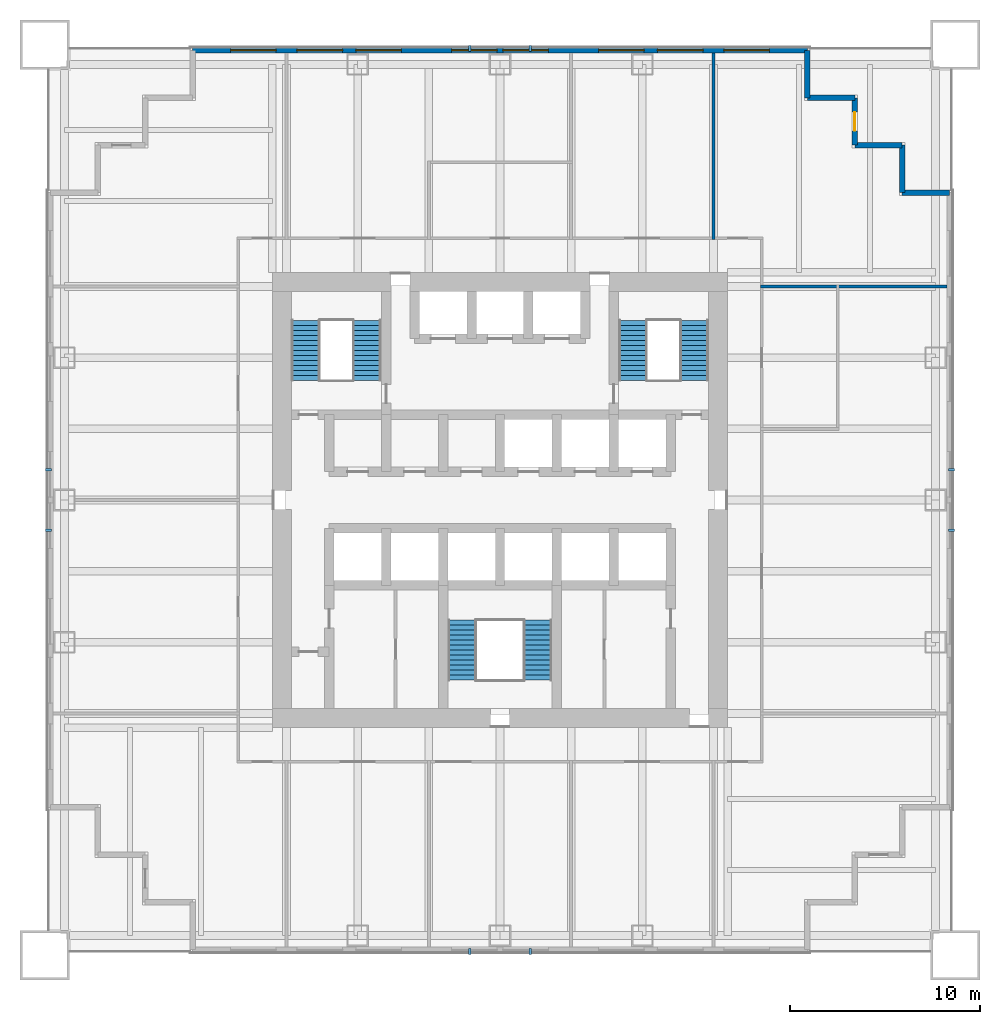
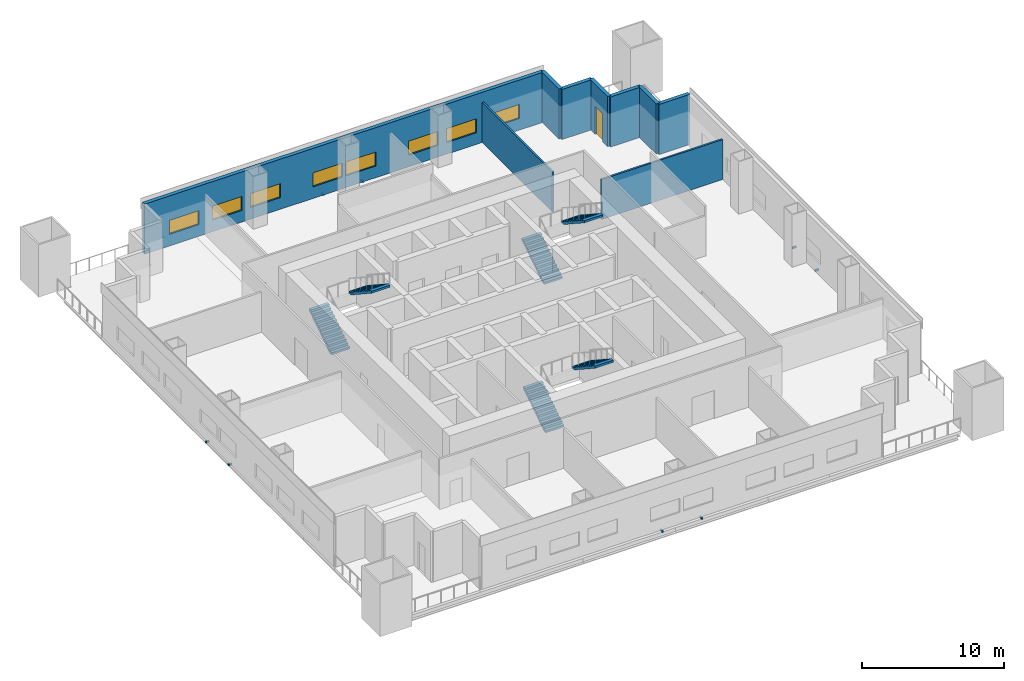
# One storey, part 5 of 7: 9 walls, 8 discrete accessories, 8 windows, 6 stair flights, 1 door, 9 openings, 3 elements without a shape of their own.
"""IFC4 building model written with IfcOpenShell, lengths in metres."""

from ifc_helpers import new_model, si_unit, direction, frame, frame_2d, origin, origin_2d, place, context, subcontext, project, spatial, polyline, rectangle, outline, extrude, material, layer, layer_set, type_object, element, fill, aggregate, save


model = new_model("IFC4")

# Units and contexts
model_context = context("Model", 3, precision=1e-05, world=origin(), true_north=direction((0.0, 1.0)))
body_context = subcontext(model_context, "Body", "Model", "MODEL_VIEW")
ifc_project = project(units=[si_unit("LENGTHUNIT", "METRE"), si_unit("AREAUNIT", "SQUARE_METRE"), si_unit("VOLUMEUNIT", "CUBIC_METRE"), si_unit("PLANEANGLEUNIT", "RADIAN"), si_unit("MASSUNIT", "GRAM", prefix="KILO")], contexts=[model_context])

# Site, building, storey
site_placement = place(None, origin())
site = spatial("IfcSite", under=ifc_project, at=site_placement, CompositionType="ELEMENT")
building_placement = place(site_placement, origin())
building = spatial("IfcBuilding", under=site, at=building_placement, Name="Tarangal Relay Tower", CompositionType="ELEMENT")
storey_placement = place(building_placement, frame((0.0, 0.0, 122.39990234375)))
storey = spatial("IfcBuildingStorey", under=building, at=storey_placement, Name="L24", CompositionType="ELEMENT", Elevation=122.39990234375)

# Wall, openings, windows
ifc_material_1 = material(Name="Insulated precast concrete fc' 40 MPa", Category="concrete")
ifc_layer_1 = layer(ifc_material_1, 0.300048828125)
ifc_layer_set_1 = layer_set([ifc_layer_1], Name="Insulated precast concrete fc' 40 MPa")
wall_type_1 = type_object("IfcWallType", Name="Facade wall precast 300", PredefinedType="SOLIDWALL", material=ifc_layer_set_1)
wall_1_placement = place(storey_placement, frame((-16.199951171875, 23.699951171875, 0.0), z_axis=(0.0, 0.0, 1.0), x_axis=(1.0, 0.0, 0.0)))
wall_1 = element("IfcWall", 1, at=wall_1_placement, inside=storey, type_object=wall_type_1, Name="Facade wall N facade L24", PredefinedType="SOLIDWALL", context=body_context, shape_type="SweptSolid", body=[
    extrude(rectangle(XDim=32.39990234375, YDim=0.300048828125, at=frame_2d((16.199951171875, 0.0))), origin(), (0.0, 0.0, 1.0), 4.300048828125),
])
opening_1_placement = place(wall_1_placement, frame((2.0, 0.0, 1.0)))
opening_1 = element("IfcOpeningElement", 2, at=opening_1_placement, cuts=wall_1, Name="Opening WN1", PredefinedType="OPENING", context=body_context, shape_type="SweptSolid", body=[
    extrude(rectangle(XDim=2.39990234375, YDim=1.199951171875, at=frame_2d((1.199951171875, 0.60009765625))), frame((0.0, 0.159912109375, 0.0), z_axis=(0.0, -1.0, 0.0), x_axis=(1.0, 0.0, 0.0)), (0.0, 0.0, 1.0), 0.320068359375),
])
opening_2_placement = place(wall_1_placement, frame((5.5, 0.0, 1.0)))
opening_2 = element("IfcOpeningElement", 3, at=opening_2_placement, cuts=wall_1, Name="Opening WN1", PredefinedType="OPENING", context=body_context, shape_type="SweptSolid", body=[
    extrude(rectangle(XDim=2.39990234375, YDim=1.199951171875, at=frame_2d((1.199951171875, 0.60009765625))), frame((0.0, 0.159912109375, 0.0), z_axis=(0.0, -1.0, 0.0), x_axis=(1.0, 0.0, 0.0)), (0.0, 0.0, 1.0), 0.320068359375),
])
opening_3_placement = place(wall_1_placement, frame((8.60009765625, 0.0, 1.0)))
opening_3 = element("IfcOpeningElement", 4, at=opening_3_placement, cuts=wall_1, Name="Opening WN1", PredefinedType="OPENING", context=body_context, shape_type="SweptSolid", body=[
    extrude(rectangle(XDim=2.39990234375, YDim=1.199951171875, at=frame_2d((1.199951171875, 0.60009765625))), frame((0.0, 0.159912109375, 0.0), z_axis=(0.0, -1.0, 0.0), x_axis=(1.0, 0.0, 0.0)), (0.0, 0.0, 1.0), 0.320068359375),
])
opening_4_placement = place(wall_1_placement, frame((13.64990234375, 0.0, 1.0)))
opening_4 = element("IfcOpeningElement", 5, at=opening_4_placement, cuts=wall_1, Name="Opening WN1", PredefinedType="OPENING", context=body_context, shape_type="SweptSolid", body=[
    extrude(rectangle(XDim=2.39990234375, YDim=1.199951171875, at=frame_2d((1.199951171875, 0.60009765625))), frame((0.0, 0.159912109375, 0.0), z_axis=(0.0, -1.0, 0.0), x_axis=(1.0, 0.0, 0.0)), (0.0, 0.0, 1.0), 0.320068359375),
])
opening_5_placement = place(wall_1_placement, frame((16.35009765625, 0.0, 1.0)))
opening_5 = element("IfcOpeningElement", 6, at=opening_5_placement, cuts=wall_1, Name="Opening WN1", PredefinedType="OPENING", context=body_context, shape_type="SweptSolid", body=[
    extrude(rectangle(XDim=2.39990234375, YDim=1.199951171875, at=frame_2d((1.199951171875, 0.60009765625))), frame((0.0, 0.159912109375, 0.0), z_axis=(0.0, -1.0, 0.0), x_axis=(1.0, 0.0, 0.0)), (0.0, 0.0, 1.0), 0.320068359375),
])
opening_6_placement = place(wall_1_placement, frame((21.39990234375, 0.0, 1.0)))
opening_6 = element("IfcOpeningElement", 7, at=opening_6_placement, cuts=wall_1, Name="Opening WN1", PredefinedType="OPENING", context=body_context, shape_type="SweptSolid", body=[
    extrude(rectangle(XDim=2.39990234375, YDim=1.199951171875, at=frame_2d((1.199951171875, 0.60009765625))), frame((0.0, 0.159912109375, 0.0), z_axis=(0.0, -1.0, 0.0), x_axis=(1.0, 0.0, 0.0)), (0.0, 0.0, 1.0), 0.320068359375),
])
opening_7_placement = place(wall_1_placement, frame((24.5, 0.0, 1.0)))
opening_7 = element("IfcOpeningElement", 8, at=opening_7_placement, cuts=wall_1, Name="Opening WN1", PredefinedType="OPENING", context=body_context, shape_type="SweptSolid", body=[
    extrude(rectangle(XDim=2.39990234375, YDim=1.199951171875, at=frame_2d((1.199951171875, 0.60009765625))), frame((0.0, 0.159912109375, 0.0), z_axis=(0.0, -1.0, 0.0), x_axis=(1.0, 0.0, 0.0)), (0.0, 0.0, 1.0), 0.320068359375),
])
opening_8_placement = place(wall_1_placement, frame((28.0, 0.0, 1.0)))
opening_8 = element("IfcOpeningElement", 9, at=opening_8_placement, cuts=wall_1, Name="Opening WN1", PredefinedType="OPENING", context=body_context, shape_type="SweptSolid", body=[
    extrude(rectangle(XDim=2.39990234375, YDim=1.199951171875, at=frame_2d((1.199951171875, 0.60009765625))), frame((0.0, 0.159912109375, 0.0), z_axis=(0.0, -1.0, 0.0), x_axis=(1.0, 0.0, 0.0)), (0.0, 0.0, 1.0), 0.320068359375),
])
ifc_material_2 = material(Name="Dark tinted double glazing in black aluminium frame", Category="aluminium")
window_type = type_object("IfcWindowType", Name="Ribbon window 2400 x 1200", PartitioningType="SINGLE_PANEL", PredefinedType="WINDOW", material=ifc_material_2)
window_1_placement = place(opening_1_placement, origin())
window_1 = element("IfcWindow", 10, at=window_1_placement, inside=storey, type_object=window_type, Name="Ribbon window WN1 N facade L24", OverallHeight=1.199951171875, OverallWidth=2.39990234375, PartitioningType="SINGLE_PANEL", PredefinedType="WINDOW", context=body_context, shape_type="SweptSolid", body=[
    extrude(rectangle(XDim=2.39990234375, YDim=1.199951171875, at=frame_2d((1.199951171875, 0.60009765625))), frame((0.0, 0.030029296875, 0.0), z_axis=(0.0, -1.0, 0.0), x_axis=(1.0, 0.0, 0.0)), (0.0, 0.0, 1.0), 0.06005859375),
])
fill(opening_1, window_1)
window_2_placement = place(opening_2_placement, origin())
window_2 = element("IfcWindow", 11, at=window_2_placement, inside=storey, type_object=window_type, Name="Ribbon window WN1 N facade L24", OverallHeight=1.199951171875, OverallWidth=2.39990234375, PartitioningType="SINGLE_PANEL", PredefinedType="WINDOW", context=body_context, shape_type="SweptSolid", body=[
    extrude(rectangle(XDim=2.39990234375, YDim=1.199951171875, at=frame_2d((1.199951171875, 0.60009765625))), frame((0.0, 0.030029296875, 0.0), z_axis=(0.0, -1.0, 0.0), x_axis=(1.0, 0.0, 0.0)), (0.0, 0.0, 1.0), 0.06005859375),
])
fill(opening_2, window_2)
window_3_placement = place(opening_3_placement, origin())
window_3 = element("IfcWindow", 12, at=window_3_placement, inside=storey, type_object=window_type, Name="Ribbon window WN1 N facade L24", OverallHeight=1.199951171875, OverallWidth=2.39990234375, PartitioningType="SINGLE_PANEL", PredefinedType="WINDOW", context=body_context, shape_type="SweptSolid", body=[
    extrude(rectangle(XDim=2.39990234375, YDim=1.199951171875, at=frame_2d((1.199951171875, 0.60009765625))), frame((0.0, 0.030029296875, 0.0), z_axis=(0.0, -1.0, 0.0), x_axis=(1.0, 0.0, 0.0)), (0.0, 0.0, 1.0), 0.06005859375),
])
fill(opening_3, window_3)
window_4_placement = place(opening_4_placement, origin())
window_4 = element("IfcWindow", 13, at=window_4_placement, inside=storey, type_object=window_type, Name="Ribbon window WN1 N facade L24", OverallHeight=1.199951171875, OverallWidth=2.39990234375, PartitioningType="SINGLE_PANEL", PredefinedType="WINDOW", context=body_context, shape_type="SweptSolid", body=[
    extrude(rectangle(XDim=2.39990234375, YDim=1.199951171875, at=frame_2d((1.199951171875, 0.60009765625))), frame((0.0, 0.030029296875, 0.0), z_axis=(0.0, -1.0, 0.0), x_axis=(1.0, 0.0, 0.0)), (0.0, 0.0, 1.0), 0.06005859375),
])
fill(opening_4, window_4)
window_5_placement = place(opening_5_placement, origin())
window_5 = element("IfcWindow", 14, at=window_5_placement, inside=storey, type_object=window_type, Name="Ribbon window WN1 N facade L24", OverallHeight=1.199951171875, OverallWidth=2.39990234375, PartitioningType="SINGLE_PANEL", PredefinedType="WINDOW", context=body_context, shape_type="SweptSolid", body=[
    extrude(rectangle(XDim=2.39990234375, YDim=1.199951171875, at=frame_2d((1.199951171875, 0.60009765625))), frame((0.0, 0.030029296875, 0.0), z_axis=(0.0, -1.0, 0.0), x_axis=(1.0, 0.0, 0.0)), (0.0, 0.0, 1.0), 0.06005859375),
])
fill(opening_5, window_5)
window_6_placement = place(opening_6_placement, origin())
window_6 = element("IfcWindow", 15, at=window_6_placement, inside=storey, type_object=window_type, Name="Ribbon window WN1 N facade L24", OverallHeight=1.199951171875, OverallWidth=2.39990234375, PartitioningType="SINGLE_PANEL", PredefinedType="WINDOW", context=body_context, shape_type="SweptSolid", body=[
    extrude(rectangle(XDim=2.39990234375, YDim=1.199951171875, at=frame_2d((1.199951171875, 0.60009765625))), frame((0.0, 0.030029296875, 0.0), z_axis=(0.0, -1.0, 0.0), x_axis=(1.0, 0.0, 0.0)), (0.0, 0.0, 1.0), 0.06005859375),
])
fill(opening_6, window_6)
window_7_placement = place(opening_7_placement, origin())
window_7 = element("IfcWindow", 16, at=window_7_placement, inside=storey, type_object=window_type, Name="Ribbon window WN1 N facade L24", OverallHeight=1.199951171875, OverallWidth=2.39990234375, PartitioningType="SINGLE_PANEL", PredefinedType="WINDOW", context=body_context, shape_type="SweptSolid", body=[
    extrude(rectangle(XDim=2.39990234375, YDim=1.199951171875, at=frame_2d((1.199951171875, 0.60009765625))), frame((0.0, 0.030029296875, 0.0), z_axis=(0.0, -1.0, 0.0), x_axis=(1.0, 0.0, 0.0)), (0.0, 0.0, 1.0), 0.06005859375),
])
fill(opening_7, window_7)
window_8_placement = place(opening_8_placement, origin())
window_8 = element("IfcWindow", 17, at=window_8_placement, inside=storey, type_object=window_type, Name="Ribbon window WN1 N facade L24", OverallHeight=1.199951171875, OverallWidth=2.39990234375, PartitioningType="SINGLE_PANEL", PredefinedType="WINDOW", context=body_context, shape_type="SweptSolid", body=[
    extrude(rectangle(XDim=2.39990234375, YDim=1.199951171875, at=frame_2d((1.199951171875, 0.60009765625))), frame((0.0, 0.030029296875, 0.0), z_axis=(0.0, -1.0, 0.0), x_axis=(1.0, 0.0, 0.0)), (0.0, 0.0, 1.0), 0.06005859375),
])
fill(opening_8, window_8)

# Walls
for number, where, z_axis, x_axis, name in (
    (18, (16.199951171875, 23.699951171875, 0.0), (0.0, 0.0, 1.0), (0.0, -1.0, 0.0), "Facade wall N facade L24"),
    (19, (16.199951171875, 21.199951171875, 0.0), (0.0, 0.0, 1.0), (1.0, 0.0, 0.0), "Facade wall N facade L24"),
):
    element("IfcWall", number, at=place(storey_placement, frame(where, z_axis=z_axis, x_axis=x_axis)), inside=storey, type_object=wall_type_1, Name=name, PredefinedType="SOLIDWALL", context=body_context, shape_type="SweptSolid", body=[
        extrude(rectangle(XDim=2.5, YDim=0.300048828125, at=frame_2d((1.25, 0.0))), origin(), (0.0, 0.0, 1.0), 4.300048828125),
    ])

# Wall, opening, door
wall_2_placement = place(storey_placement, frame((18.699951171875, 21.199951171875, 0.0), z_axis=(0.0, 0.0, 1.0), x_axis=(0.0, -1.0, 0.0)))
wall_2 = element("IfcWall", 20, at=wall_2_placement, inside=storey, type_object=wall_type_1, Name="Facade wall N facade L24", PredefinedType="SOLIDWALL", context=body_context, shape_type="SweptSolid", body=[
    extrude(rectangle(XDim=2.5, YDim=0.300048828125, at=frame_2d((1.25, 0.0))), origin(), (0.0, 0.0, 1.0), 4.300048828125),
])
opening_9_placement = place(wall_2_placement, frame((0.75, 0.0, 0.0)))
opening_9 = element("IfcOpeningElement", 21, at=opening_9_placement, cuts=wall_2, Name="Opening TD1", PredefinedType="OPENING", context=body_context, shape_type="SweptSolid", body=[
    extrude(rectangle(XDim=1.0, YDim=2.39990234375, at=frame_2d((0.5, 1.199951171875))), frame((0.0, 0.159912109375, 0.0), z_axis=(0.0, -1.0, 0.0), x_axis=(1.0, 0.0, 0.0)), (0.0, 0.0, 1.0), 0.320068359375),
])
ifc_material_3 = material(Name="Aluminium glazed door", Category="aluminium")
door_type = type_object("IfcDoorType", Name="Terrace door 1000 x 2400", OperationType="SINGLE_SWING_RIGHT", PredefinedType="DOOR", material=ifc_material_3)
door_placement = place(opening_9_placement, origin())
door = element("IfcDoor", 22, at=door_placement, inside=storey, type_object=door_type, Name="Terrace door TD1 NE L24", OperationType="SINGLE_SWING_RIGHT", OverallHeight=2.39990234375, OverallWidth=1.0, PredefinedType="DOOR", context=body_context, shape_type="SweptSolid", body=[
    extrude(rectangle(XDim=1.0, YDim=2.39990234375, at=frame_2d((0.5, 1.199951171875))), frame((0.0, 0.02490234375, 0.0), z_axis=(0.0, -1.0, 0.0), x_axis=(1.0, 0.0, 0.0)), (0.0, 0.0, 1.0), 0.050048828125),
])
fill(opening_9, door)

# Walls
for number, where, z_axis, x_axis, name in (
    (23, (18.699951171875, 18.699951171875, 0.0), (0.0, 0.0, 1.0), (1.0, 0.0, 0.0), "Facade wall N facade L24"),
    (24, (21.199951171875, 18.699951171875, 0.0), (0.0, 0.0, 1.0), (0.0, -1.0, 0.0), "Facade wall N facade L24"),
    (25, (21.199951171875, 16.199951171875, 0.0), (0.0, 0.0, 1.0), (1.0, 0.0, 0.0), "Facade wall N facade L24"),
):
    element("IfcWall", number, at=place(storey_placement, frame(where, z_axis=z_axis, x_axis=x_axis)), inside=storey, type_object=wall_type_1, Name=name, PredefinedType="SOLIDWALL", context=body_context, shape_type="SweptSolid", body=[
        extrude(rectangle(XDim=2.5, YDim=0.300048828125, at=frame_2d((1.25, 0.0))), origin(), (0.0, 0.0, 1.0), 4.300048828125),
    ])
ifc_material_4 = material(Name="Gypsum board on steel studs", Category="steel")
ifc_layer_2 = layer(ifc_material_4, 0.14990234375)
ifc_layer_set_2 = layer_set([ifc_layer_2], Name="Partition 150")
wall_type_2 = type_object("IfcWallType", Name="Partition 150", PredefinedType="PARTITIONING", material=ifc_layer_set_2)
for number, where, z_axis, x_axis, name in (
    (26, (13.72509765625, 11.25, 0.0), (0.0, 0.0, 1.0), (1.0, 0.0, 0.0), "Partition PT1 L24"),
    (27, (11.25, 13.72509765625, 0.0), (0.0, 0.0, 1.0), (0.0, 1.0, 0.0), "Partition PT1 L24"),
):
    element("IfcWall", number, at=place(storey_placement, frame(where, z_axis=z_axis, x_axis=x_axis)), inside=storey, type_object=wall_type_2, Name=name, PredefinedType="PARTITIONING", context=body_context, shape_type="SweptSolid", body=[
        extrude(rectangle(XDim=9.824951171875, YDim=0.14990234375, at=frame_2d((4.91259765625, 0.0))), origin(), (0.0, 0.0, 1.0), 3.431396484375),
    ])

# Stair, stair flights
ifc_material_5 = material(Name="Steel ASTM A992 stair flight", Category="steel")
stair_type = type_object("IfcStairType", Name="Core stair 1500", PredefinedType="HALF_TURN_STAIR", material=ifc_material_5)
stair_1_placement = place(storey_placement, origin())
stair_1 = element("IfcStair", 28, at=stair_1_placement, inside=storey, type_object=stair_type, Name="Stair ST-A L24", PredefinedType="HALF_TURN_STAIR")
stair_flight_type = type_object("IfcStairFlightType", Name="Steel stair flight 1500, 13 risers 173 x 264", PredefinedType="STRAIGHT", material=ifc_material_5)
stair_flight_1_placement = place(storey_placement, frame((-10.25, 6.300048828125, 0.0), z_axis=(0.0, 0.0, 1.0), x_axis=(0.0, 1.0, 0.0)))
stair_flight_1 = element("IfcStairFlight", 29, at=stair_flight_1_placement, type_object=stair_flight_type, Name="ST-A flight 1", NumberOfRisers=13, NumberOfTreads=12, PredefinedType="STRAIGHT", RiserHeight=0.173076923, TreadLength=0.264, context=body_context, shape_type="SweptSolid", body=[
    extrude(outline(polyline([(0.0, 0.0), (0.0, 0.173095703125), (0.263916015625, 0.173095703125), (0.263916015625, 0.34619140625), (0.528076171875, 0.34619140625), (0.528076171875, 0.519287109375), (0.7919921875, 0.519287109375), (0.7919921875, 0.6923828125), (1.055908203125, 0.6923828125), (1.055908203125, 0.865478515625), (1.320068359375, 0.865478515625), (1.320068359375, 1.03857421875), (1.583984375, 1.03857421875), (1.583984375, 1.21142578125), (1.847900390625, 1.21142578125), (1.847900390625, 1.384521484375), (2.112060546875, 1.384521484375), (2.112060546875, 1.5576171875), (2.3759765625, 1.5576171875), (2.3759765625, 1.730712890625), (2.639892578125, 1.730712890625), (2.639892578125, 1.90380859375), (2.904052734375, 1.90380859375), (2.904052734375, 2.076904296875), (3.16796875, 2.076904296875), (3.16796875, 2.25), (3.16796875, 1.897705078125), (0.2734375, 0.0), (0.0, 0.0)])), frame((0.0, 0.75, 0.0), z_axis=(0.0, -1.0, 0.0), x_axis=(1.0, 0.0, 0.0)), (0.0, 0.0, 1.0), 1.5),
])
stair_flight_2_placement = place(storey_placement, frame((-7.0, 9.468017578125, 2.25), z_axis=(0.0, 0.0, 1.0), x_axis=(0.0, -1.0, 0.0)))
stair_flight_2 = element("IfcStairFlight", 30, at=stair_flight_2_placement, type_object=stair_flight_type, Name="ST-A flight 2", NumberOfRisers=13, NumberOfTreads=12, PredefinedType="STRAIGHT", RiserHeight=0.173076923, TreadLength=0.264, context=body_context, shape_type="SweptSolid", body=[
    extrude(outline(polyline([(0.0, 0.0), (0.0, 0.173095703125), (0.263916015625, 0.173095703125), (0.263916015625, 0.34619140625), (0.528076171875, 0.34619140625), (0.528076171875, 0.519287109375), (0.7919921875, 0.519287109375), (0.7919921875, 0.6923828125), (1.055908203125, 0.6923828125), (1.055908203125, 0.865478515625), (1.320068359375, 0.865478515625), (1.320068359375, 1.03857421875), (1.583984375, 1.03857421875), (1.583984375, 1.21142578125), (1.847900390625, 1.21142578125), (1.847900390625, 1.384521484375), (2.112060546875, 1.384521484375), (2.112060546875, 1.5576171875), (2.3759765625, 1.5576171875), (2.3759765625, 1.730712890625), (2.639892578125, 1.730712890625), (2.639892578125, 1.90380859375), (2.904052734375, 1.90380859375), (2.904052734375, 2.076904296875), (3.16796875, 2.076904296875), (3.16796875, 2.25), (3.16796875, 1.897705078125), (0.2734375, 0.0), (0.0, 0.0)])), frame((0.0, 0.75, 0.0), z_axis=(0.0, -1.0, 0.0), x_axis=(1.0, 0.0, 0.0)), (0.0, 0.0, 1.0), 1.5),
])
aggregate(stair_1, [stair_flight_1, stair_flight_2])

stair_2_placement = place(storey_placement, origin())
stair_2 = element("IfcStair", 31, at=stair_2_placement, inside=storey, type_object=stair_type, Name="Stair ST-B L24", PredefinedType="HALF_TURN_STAIR")
stair_flight_3_placement = place(storey_placement, frame((7.0, 6.300048828125, 0.0), z_axis=(0.0, 0.0, 1.0), x_axis=(0.0, 1.0, 0.0)))
stair_flight_3 = element("IfcStairFlight", 32, at=stair_flight_3_placement, type_object=stair_flight_type, Name="ST-B flight 1", NumberOfRisers=13, NumberOfTreads=12, PredefinedType="STRAIGHT", RiserHeight=0.173076923, TreadLength=0.264, context=body_context, shape_type="SweptSolid", body=[
    extrude(outline(polyline([(0.0, 0.0), (0.0, 0.173095703125), (0.263916015625, 0.173095703125), (0.263916015625, 0.34619140625), (0.528076171875, 0.34619140625), (0.528076171875, 0.519287109375), (0.7919921875, 0.519287109375), (0.7919921875, 0.6923828125), (1.055908203125, 0.6923828125), (1.055908203125, 0.865478515625), (1.320068359375, 0.865478515625), (1.320068359375, 1.03857421875), (1.583984375, 1.03857421875), (1.583984375, 1.21142578125), (1.847900390625, 1.21142578125), (1.847900390625, 1.384521484375), (2.112060546875, 1.384521484375), (2.112060546875, 1.5576171875), (2.3759765625, 1.5576171875), (2.3759765625, 1.730712890625), (2.639892578125, 1.730712890625), (2.639892578125, 1.90380859375), (2.904052734375, 1.90380859375), (2.904052734375, 2.076904296875), (3.16796875, 2.076904296875), (3.16796875, 2.25), (3.16796875, 1.897705078125), (0.2734375, 0.0), (0.0, 0.0)])), frame((0.0, 0.75, 0.0), z_axis=(0.0, -1.0, 0.0), x_axis=(1.0, 0.0, 0.0)), (0.0, 0.0, 1.0), 1.5),
])
stair_flight_4_placement = place(storey_placement, frame((10.25, 9.468017578125, 2.25), z_axis=(0.0, 0.0, 1.0), x_axis=(0.0, -1.0, 0.0)))
stair_flight_4 = element("IfcStairFlight", 33, at=stair_flight_4_placement, type_object=stair_flight_type, Name="ST-B flight 2", NumberOfRisers=13, NumberOfTreads=12, PredefinedType="STRAIGHT", RiserHeight=0.173076923, TreadLength=0.264, context=body_context, shape_type="SweptSolid", body=[
    extrude(outline(polyline([(0.0, 0.0), (0.0, 0.173095703125), (0.263916015625, 0.173095703125), (0.263916015625, 0.34619140625), (0.528076171875, 0.34619140625), (0.528076171875, 0.519287109375), (0.7919921875, 0.519287109375), (0.7919921875, 0.6923828125), (1.055908203125, 0.6923828125), (1.055908203125, 0.865478515625), (1.320068359375, 0.865478515625), (1.320068359375, 1.03857421875), (1.583984375, 1.03857421875), (1.583984375, 1.21142578125), (1.847900390625, 1.21142578125), (1.847900390625, 1.384521484375), (2.112060546875, 1.384521484375), (2.112060546875, 1.5576171875), (2.3759765625, 1.5576171875), (2.3759765625, 1.730712890625), (2.639892578125, 1.730712890625), (2.639892578125, 1.90380859375), (2.904052734375, 1.90380859375), (2.904052734375, 2.076904296875), (3.16796875, 2.076904296875), (3.16796875, 2.25), (3.16796875, 1.897705078125), (0.2734375, 0.0), (0.0, 0.0)])), frame((0.0, 0.75, 0.0), z_axis=(0.0, -1.0, 0.0), x_axis=(1.0, 0.0, 0.0)), (0.0, 0.0, 1.0), 1.5),
])
aggregate(stair_2, [stair_flight_3, stair_flight_4])

stair_3_placement = place(storey_placement, origin())
stair_3 = element("IfcStair", 34, at=stair_3_placement, inside=storey, type_object=stair_type, Name="Stair ST-C L24", PredefinedType="HALF_TURN_STAIR")
stair_flight_5_placement = place(storey_placement, frame((-2.0, -9.5, 0.0), z_axis=(0.0, 0.0, 1.0), x_axis=(0.0, 1.0, 0.0)))
stair_flight_5 = element("IfcStairFlight", 35, at=stair_flight_5_placement, type_object=stair_flight_type, Name="ST-C flight 1", NumberOfRisers=13, NumberOfTreads=12, PredefinedType="STRAIGHT", RiserHeight=0.173076923, TreadLength=0.264, context=body_context, shape_type="SweptSolid", body=[
    extrude(outline(polyline([(0.0, 0.0), (0.0, 0.173095703125), (0.263916015625, 0.173095703125), (0.263916015625, 0.34619140625), (0.528076171875, 0.34619140625), (0.528076171875, 0.519287109375), (0.7919921875, 0.519287109375), (0.7919921875, 0.6923828125), (1.055908203125, 0.6923828125), (1.055908203125, 0.865478515625), (1.320068359375, 0.865478515625), (1.320068359375, 1.03857421875), (1.583984375, 1.03857421875), (1.583984375, 1.21142578125), (1.847900390625, 1.21142578125), (1.847900390625, 1.384521484375), (2.112060546875, 1.384521484375), (2.112060546875, 1.5576171875), (2.3759765625, 1.5576171875), (2.3759765625, 1.730712890625), (2.639892578125, 1.730712890625), (2.639892578125, 1.90380859375), (2.904052734375, 1.90380859375), (2.904052734375, 2.076904296875), (3.16796875, 2.076904296875), (3.16796875, 2.25), (3.16796875, 1.897705078125), (0.2734375, 0.0), (0.0, 0.0)])), frame((0.0, 0.75, 0.0), z_axis=(0.0, -1.0, 0.0), x_axis=(1.0, 0.0, 0.0)), (0.0, 0.0, 1.0), 1.5),
])
stair_flight_6_placement = place(storey_placement, frame((2.0, -6.33203125, 2.25), z_axis=(0.0, 0.0, 1.0), x_axis=(0.0, -1.0, 0.0)))
stair_flight_6 = element("IfcStairFlight", 36, at=stair_flight_6_placement, type_object=stair_flight_type, Name="ST-C flight 2", NumberOfRisers=13, NumberOfTreads=12, PredefinedType="STRAIGHT", RiserHeight=0.173076923, TreadLength=0.264, context=body_context, shape_type="SweptSolid", body=[
    extrude(outline(polyline([(0.0, 0.0), (0.0, 0.173095703125), (0.263916015625, 0.173095703125), (0.263916015625, 0.34619140625), (0.528076171875, 0.34619140625), (0.528076171875, 0.519287109375), (0.7919921875, 0.519287109375), (0.7919921875, 0.6923828125), (1.055908203125, 0.6923828125), (1.055908203125, 0.865478515625), (1.320068359375, 0.865478515625), (1.320068359375, 1.03857421875), (1.583984375, 1.03857421875), (1.583984375, 1.21142578125), (1.847900390625, 1.21142578125), (1.847900390625, 1.384521484375), (2.112060546875, 1.384521484375), (2.112060546875, 1.5576171875), (2.3759765625, 1.5576171875), (2.3759765625, 1.730712890625), (2.639892578125, 1.730712890625), (2.639892578125, 1.90380859375), (2.904052734375, 1.90380859375), (2.904052734375, 2.076904296875), (3.16796875, 2.076904296875), (3.16796875, 2.25), (3.16796875, 1.897705078125), (0.2734375, 0.0), (0.0, 0.0)])), frame((0.0, 0.75, 0.0), z_axis=(0.0, -1.0, 0.0), x_axis=(1.0, 0.0, 0.0)), (0.0, 0.0, 1.0), 1.5),
])
aggregate(stair_3, [stair_flight_5, stair_flight_6])

# Discrete accessories
ifc_material_6 = material(Name="Steel ASTM A572 Grade 50", Category="steel")
discrete_accessory_type = type_object("IfcDiscreteAccessoryType", Name="Brace crossing restraint BRT2", PredefinedType="BRACKET", material=ifc_material_6)
for number, where, z_axis, x_axis, name in (
    (37, (1.60009765625, 23.800048828125, -0.1748046875), (0.0, 0.0, 1.0), (1.0, 0.0, 0.0), "Brace crossing restraint BRT2 N L24"),
    (38, (-1.60009765625, 23.800048828125, -0.1748046875), (0.0, 0.0, 1.0), (1.0, 0.0, 0.0), "Brace crossing restraint BRT2 N L24"),
):
    element("IfcDiscreteAccessory", number, at=place(storey_placement, frame(where, z_axis=z_axis, x_axis=x_axis)), inside=storey, type_object=discrete_accessory_type, Name=name, PredefinedType="BRACKET", context=body_context, shape_type="SweptSolid", body=[
        extrude(rectangle(XDim=0.1201171875, YDim=0.300048828125, at=origin_2d()), origin(), (0.0, 0.0, 1.0), 0.14990234375),
    ])
for number, where, z_axis, x_axis, name in (
    (39, (23.800048828125, -1.60009765625, -0.1748046875), (0.0, 0.0, 1.0), (1.0, 0.0, 0.0), "Brace crossing restraint BRT2 E L24"),
    (40, (23.800048828125, 1.60009765625, -0.1748046875), (0.0, 0.0, 1.0), (1.0, 0.0, 0.0), "Brace crossing restraint BRT2 E L24"),
):
    element("IfcDiscreteAccessory", number, at=place(storey_placement, frame(where, z_axis=z_axis, x_axis=x_axis)), inside=storey, type_object=discrete_accessory_type, Name=name, PredefinedType="BRACKET", context=body_context, shape_type="SweptSolid", body=[
        extrude(rectangle(XDim=0.300048828125, YDim=0.1201171875, at=origin_2d()), origin(), (0.0, 0.0, 1.0), 0.14990234375),
    ])
for number, where, z_axis, x_axis, name in (
    (41, (-1.60009765625, -23.800048828125, -0.1748046875), (0.0, 0.0, 1.0), (1.0, 0.0, 0.0), "Brace crossing restraint BRT2 S L24"),
    (42, (1.60009765625, -23.800048828125, -0.1748046875), (0.0, 0.0, 1.0), (1.0, 0.0, 0.0), "Brace crossing restraint BRT2 S L24"),
):
    element("IfcDiscreteAccessory", number, at=place(storey_placement, frame(where, z_axis=z_axis, x_axis=x_axis)), inside=storey, type_object=discrete_accessory_type, Name=name, PredefinedType="BRACKET", context=body_context, shape_type="SweptSolid", body=[
        extrude(rectangle(XDim=0.1201171875, YDim=0.300048828125, at=origin_2d()), origin(), (0.0, 0.0, 1.0), 0.14990234375),
    ])
for number, where, z_axis, x_axis, name in (
    (43, (-23.800048828125, 1.60009765625, -0.1748046875), (0.0, 0.0, 1.0), (1.0, 0.0, 0.0), "Brace crossing restraint BRT2 W L24"),
    (44, (-23.800048828125, -1.60009765625, -0.1748046875), (0.0, 0.0, 1.0), (1.0, 0.0, 0.0), "Brace crossing restraint BRT2 W L24"),
):
    element("IfcDiscreteAccessory", number, at=place(storey_placement, frame(where, z_axis=z_axis, x_axis=x_axis)), inside=storey, type_object=discrete_accessory_type, Name=name, PredefinedType="BRACKET", context=body_context, shape_type="SweptSolid", body=[
        extrude(rectangle(XDim=0.300048828125, YDim=0.1201171875, at=origin_2d()), origin(), (0.0, 0.0, 1.0), 0.14990234375),
    ])

save(model, "model.ifc")
